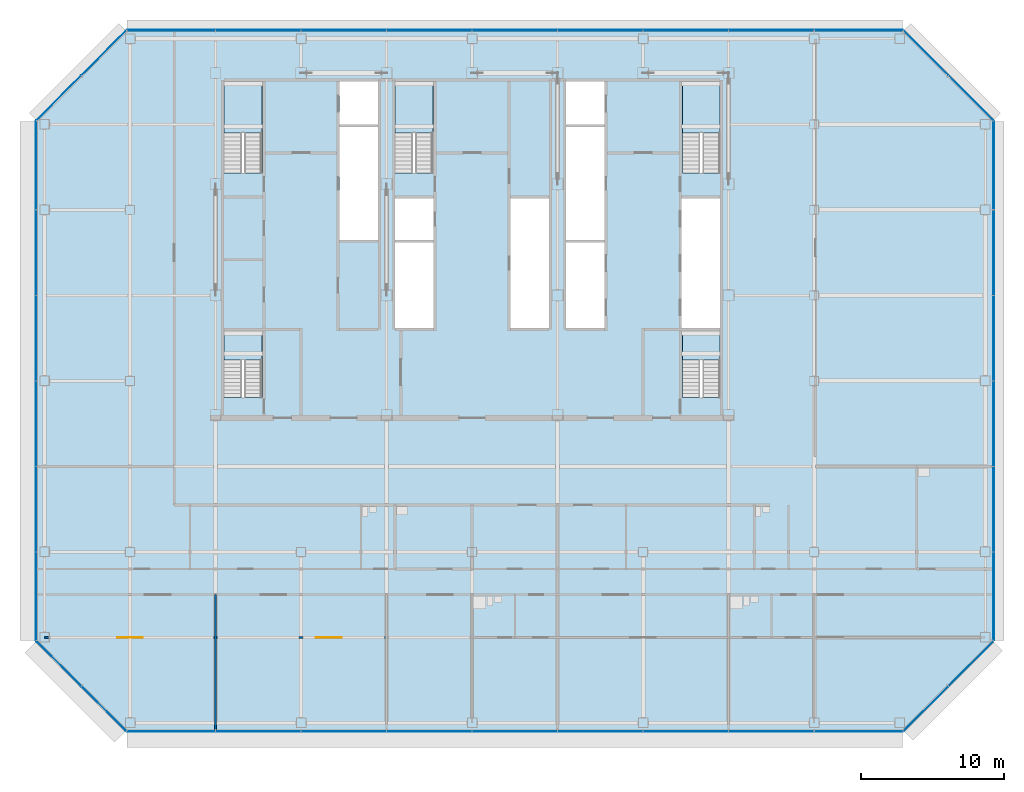
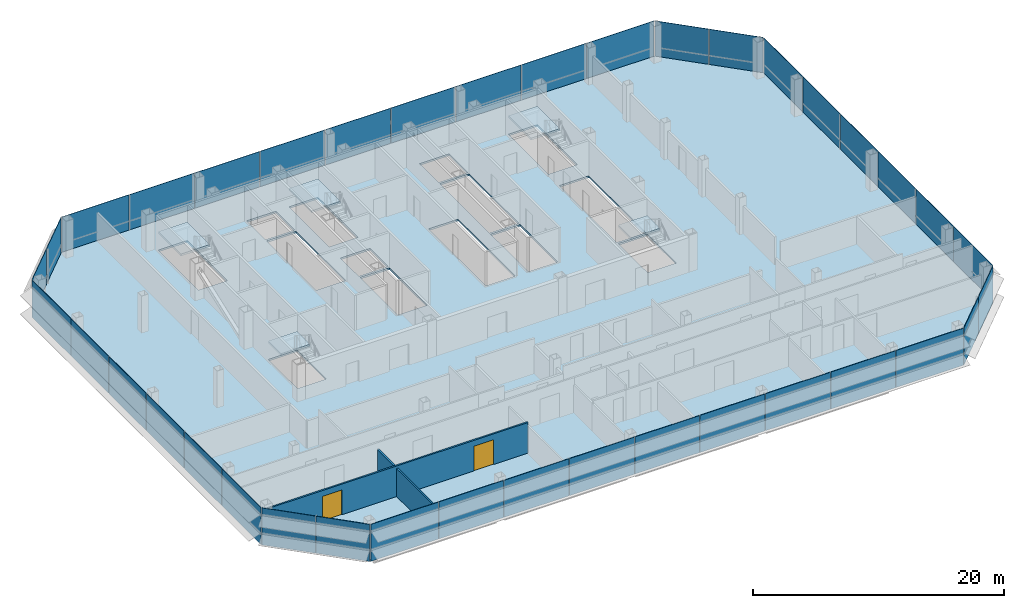
# One storey, part 18 of 24: 38 plates, 6 slabs, 2 doors, 2 walls, 2 openings, 13 elements without a shape of their own.
"""IFC4 building model written with IfcOpenShell, lengths in metres."""

from ifc_helpers import new_model, si_unit, direction, frame, frame_2d, origin, origin_2d, place, context, subcontext, project, spatial, polyline, rectangle, outline, extrude, material, layer, layer_set, type_object, element, fill, aggregate, save


model = new_model("IFC4")

# Units and contexts
model_context = context("Model", 3, precision=1e-05, world=origin(), true_north=direction((0.0, 1.0)))
body_context = subcontext(model_context, "Body", "Model", "MODEL_VIEW")
ifc_project = project(units=[si_unit("LENGTHUNIT", "METRE"), si_unit("AREAUNIT", "SQUARE_METRE"), si_unit("VOLUMEUNIT", "CUBIC_METRE"), si_unit("PLANEANGLEUNIT", "RADIAN"), si_unit("MASSUNIT", "GRAM", prefix="KILO")], contexts=[model_context])

# Site, building, storey
site_placement = place(None, origin())
site = spatial("IfcSite", under=ifc_project, at=site_placement, CompositionType="ELEMENT")
building_placement = place(site_placement, origin())
building = spatial("IfcBuilding", under=site, at=building_placement, Name="Sorahane Residences", CompositionType="ELEMENT")
storey_placement = place(building_placement, frame((0.0, 0.0, 174.39990234375)))
storey = spatial("IfcBuildingStorey", under=building, at=storey_placement, Name="L40", CompositionType="ELEMENT", Elevation=174.39990234375)

# Slab
ifc_material_1 = material(Name="Concrete C35", Category="concrete")
ifc_layer_1 = layer(ifc_material_1, 0.179931640625)
ifc_layer_set_1 = layer_set([ifc_layer_1], Name="Composite floor slab 180 mm Concrete C35")
slab_type_1 = type_object("IfcSlabType", Name="Composite floor slab 180 mm Concrete C35", PredefinedType="FLOOR", material=ifc_layer_set_1)
slab_1_placement = place(storey_placement, frame((0.0, 0.0, -0.179931640625)))
element("IfcSlab", 1, at=slab_1_placement, inside=storey, type_object=slab_type_1, Name="Slab L40", PredefinedType="FLOOR", context=body_context, shape_type="SweptSolid", body=[
    extrude(outline(polyline([(-0.24853515625, -0.60009765625), (-6.60009765625, 5.75146484375), (-6.60009765625, 42.24853515625), (-0.24853515625, 48.60009765625), (54.24853515625, 48.60009765625), (60.60009765625, 42.24853515625), (60.60009765625, 5.75146484375), (54.24853515625, -0.60009765625), (-0.24853515625, -0.60009765625)]), holes=[polyline([(18.60009765625, 27.699951171875), (21.300048828125, 27.699951171875), (21.300048828125, 33.699951171875), (18.60009765625, 33.699951171875), (18.60009765625, 27.699951171875)]), polyline([(38.699951171875, 27.699951171875), (41.39990234375, 27.699951171875), (41.39990234375, 36.800048828125), (38.699951171875, 36.800048828125), (38.699951171875, 27.699951171875)]), polyline([(30.60009765625, 27.699951171875), (33.300048828125, 27.699951171875), (33.300048828125, 33.699951171875), (30.60009765625, 33.699951171875), (30.60009765625, 27.699951171875)]), polyline([(30.60009765625, 42.0), (33.300048828125, 42.0), (33.300048828125, 45.0), (30.60009765625, 45.0), (30.60009765625, 42.0)]), polyline([(14.699951171875, 42.0), (17.39990234375, 42.0), (17.39990234375, 45.0), (14.699951171875, 45.0), (14.699951171875, 42.0)]), polyline([(9.25, 38.60009765625), (9.25, 45.0), (6.60009765625, 45.0), (6.60009765625, 38.60009765625), (9.25, 38.60009765625)]), polyline([(41.39990234375, 38.60009765625), (41.39990234375, 45.0), (38.75, 45.0), (38.75, 38.60009765625), (41.39990234375, 38.60009765625)]), polyline([(21.25, 38.60009765625), (21.25, 45.0), (18.60009765625, 45.0), (18.60009765625, 38.60009765625), (21.25, 38.60009765625)]), polyline([(9.25, 22.85009765625), (9.25, 27.5), (6.60009765625, 27.5), (6.60009765625, 22.85009765625), (9.25, 22.85009765625)]), polyline([(41.39990234375, 22.85009765625), (41.39990234375, 27.5), (38.75, 27.5), (38.75, 22.85009765625), (41.39990234375, 22.85009765625)]), polyline([(14.699951171875, 33.89990234375), (17.39990234375, 33.89990234375), (17.39990234375, 41.800048828125), (14.699951171875, 41.800048828125), (14.699951171875, 33.89990234375)]), polyline([(30.60009765625, 33.89990234375), (33.300048828125, 33.89990234375), (33.300048828125, 41.800048828125), (30.60009765625, 41.800048828125), (30.60009765625, 33.89990234375)]), polyline([(18.60009765625, 33.89990234375), (21.300048828125, 33.89990234375), (21.300048828125, 36.800048828125), (18.60009765625, 36.800048828125), (18.60009765625, 33.89990234375)]), polyline([(26.699951171875, 27.699951171875), (29.39990234375, 27.699951171875), (29.39990234375, 36.800048828125), (26.699951171875, 36.800048828125), (26.699951171875, 27.699951171875)])]), origin(), (0.0, 0.0, 1.0), 0.179931640625),
])

# Curtain wall, plates
ifc_material_2 = material(Name="Dark low-e glass and black anodised aluminium", Category="aluminium")
curtain_wall_type_1 = type_object("IfcCurtainWallType", Name="Curtain wall CW-1 Typical unitised wall", PredefinedType="NOTDEFINED", material=ifc_material_2)
curtain_wall_1_placement = place(storey_placement, origin())
curtain_wall_1 = element("IfcCurtainWall", 2, at=curtain_wall_1_placement, inside=storey, type_object=curtain_wall_type_1, Name="CW-1 curtain wall L40 S1", PredefinedType="NOTDEFINED")
ifc_material_3 = material(Name="Dark low-e glass with black ceramic frit", Category="glass")
ifc_layer_2 = layer(ifc_material_3, 0.0400390625)
ifc_layer_set_2 = layer_set([ifc_layer_2], Name="Curtain wall glass panel dark low-e with black frit spandrel band")
plate_type = type_object("IfcPlateType", Name="Curtain wall glass panel dark low-e with black frit spandrel band", PredefinedType="CURTAIN_PANEL", material=ifc_layer_set_2)
plate_1_placement = place(storey_placement, frame((2.88818359375, -0.60009765625, -0.179931640625), z_axis=(0.0, 0.0, 1.0), x_axis=(1.0, 0.0, 0.0)))
plate_1 = element("IfcPlate", 3, at=plate_1_placement, type_object=plate_type, Name="CW-1 glass panel L40 S1.1", PredefinedType="CURTAIN_PANEL", context=body_context, shape_type="SweptSolid", body=[
    extrude(rectangle(XDim=6.173583984375, YDim=0.0400390625, at=origin_2d()), origin(), (0.0, 0.0, 1.0), 3.60009765625),
])
plate_2_placement = place(storey_placement, frame((9.0, -0.60009765625, -0.179931640625), z_axis=(0.0, 0.0, 1.0), x_axis=(1.0, 0.0, 0.0)))
plate_2 = element("IfcPlate", 4, at=plate_2_placement, type_object=plate_type, Name="CW-1 glass panel L40 S1.2", PredefinedType="CURTAIN_PANEL", context=body_context, shape_type="SweptSolid", body=[
    extrude(rectangle(XDim=5.949951171875, YDim=0.0400390625, at=origin_2d()), origin(), (0.0, 0.0, 1.0), 3.60009765625),
])
plate_3_placement = place(storey_placement, frame((15.0, -0.60009765625, -0.179931640625), z_axis=(0.0, 0.0, 1.0), x_axis=(1.0, 0.0, 0.0)))
plate_3 = element("IfcPlate", 5, at=plate_3_placement, type_object=plate_type, Name="CW-1 glass panel L40 S1.3", PredefinedType="CURTAIN_PANEL", context=body_context, shape_type="SweptSolid", body=[
    extrude(rectangle(XDim=5.949951171875, YDim=0.0400390625, at=origin_2d()), origin(), (0.0, 0.0, 1.0), 3.60009765625),
])
plate_4_placement = place(storey_placement, frame((21.0, -0.60009765625, -0.179931640625), z_axis=(0.0, 0.0, 1.0), x_axis=(1.0, 0.0, 0.0)))
plate_4 = element("IfcPlate", 6, at=plate_4_placement, type_object=plate_type, Name="CW-1 glass panel L40 S1.4", PredefinedType="CURTAIN_PANEL", context=body_context, shape_type="SweptSolid", body=[
    extrude(rectangle(XDim=5.949951171875, YDim=0.0400390625, at=origin_2d()), origin(), (0.0, 0.0, 1.0), 3.60009765625),
])
plate_5_placement = place(storey_placement, frame((27.0, -0.60009765625, -0.179931640625), z_axis=(0.0, 0.0, 1.0), x_axis=(1.0, 0.0, 0.0)))
plate_5 = element("IfcPlate", 7, at=plate_5_placement, type_object=plate_type, Name="CW-1 glass panel L40 S1.5", PredefinedType="CURTAIN_PANEL", context=body_context, shape_type="SweptSolid", body=[
    extrude(rectangle(XDim=5.949951171875, YDim=0.0400390625, at=origin_2d()), origin(), (0.0, 0.0, 1.0), 3.60009765625),
])
plate_6_placement = place(storey_placement, frame((33.0, -0.60009765625, -0.179931640625), z_axis=(0.0, 0.0, 1.0), x_axis=(1.0, 0.0, 0.0)))
plate_6 = element("IfcPlate", 8, at=plate_6_placement, type_object=plate_type, Name="CW-1 glass panel L40 S1.6", PredefinedType="CURTAIN_PANEL", context=body_context, shape_type="SweptSolid", body=[
    extrude(rectangle(XDim=5.949951171875, YDim=0.0400390625, at=origin_2d()), origin(), (0.0, 0.0, 1.0), 3.60009765625),
])
plate_7_placement = place(storey_placement, frame((39.0, -0.60009765625, -0.179931640625), z_axis=(0.0, 0.0, 1.0), x_axis=(1.0, 0.0, 0.0)))
plate_7 = element("IfcPlate", 9, at=plate_7_placement, type_object=plate_type, Name="CW-1 glass panel L40 S1.7", PredefinedType="CURTAIN_PANEL", context=body_context, shape_type="SweptSolid", body=[
    extrude(rectangle(XDim=5.949951171875, YDim=0.0400390625, at=origin_2d()), origin(), (0.0, 0.0, 1.0), 3.60009765625),
])
plate_8_placement = place(storey_placement, frame((45.0, -0.60009765625, -0.179931640625), z_axis=(0.0, 0.0, 1.0), x_axis=(1.0, 0.0, 0.0)))
plate_8 = element("IfcPlate", 10, at=plate_8_placement, type_object=plate_type, Name="CW-1 glass panel L40 S1.8", PredefinedType="CURTAIN_PANEL", context=body_context, shape_type="SweptSolid", body=[
    extrude(rectangle(XDim=5.949951171875, YDim=0.0400390625, at=origin_2d()), origin(), (0.0, 0.0, 1.0), 3.60009765625),
])
plate_9_placement = place(storey_placement, frame((51.11181640625, -0.60009765625, -0.179931640625), z_axis=(0.0, 0.0, 1.0), x_axis=(1.0, 0.0, 0.0)))
plate_9 = element("IfcPlate", 11, at=plate_9_placement, type_object=plate_type, Name="CW-1 glass panel L40 S1.9", PredefinedType="CURTAIN_PANEL", context=body_context, shape_type="SweptSolid", body=[
    extrude(rectangle(XDim=6.173583984375, YDim=0.0400390625, at=origin_2d()), origin(), (0.0, 0.0, 1.0), 3.60009765625),
])
aggregate(curtain_wall_1, [plate_1, plate_2, plate_3, plate_4, plate_5, plate_6, plate_7, plate_8, plate_9])

ifc_material_4 = material(Name="Dark low-e glass and black anodised aluminium", Category="aluminium")
curtain_wall_type_2 = type_object("IfcCurtainWallType", Name="Curtain wall CW-2 Chamfer unitised wall", PredefinedType="NOTDEFINED", material=ifc_material_4)
curtain_wall_2_placement = place(storey_placement, origin())
curtain_wall_2 = element("IfcCurtainWall", 12, at=curtain_wall_2_placement, inside=storey, type_object=curtain_wall_type_2, Name="CW-2 curtain wall L40 SE1", PredefinedType="NOTDEFINED")
plate_10_placement = place(storey_placement, frame((55.84521484375, 0.996826171875, -0.179931640625), z_axis=(0.0, 0.0, 1.0), x_axis=(0.707106781187, 0.707106781187, 0.0)))
plate_10 = element("IfcPlate", 13, at=plate_10_placement, type_object=plate_type, Name="CW-2 glass panel L40 SE1.1", PredefinedType="CURTAIN_PANEL", context=body_context, shape_type="SweptSolid", body=[
    extrude(rectangle(XDim=4.416259765625, YDim=0.0400390625, at=origin_2d()), origin(), (0.0, 0.0, 1.0), 3.60009765625),
])
plate_11_placement = place(storey_placement, frame((59.003173828125, 4.15478515625, -0.179931640625), z_axis=(0.0, 0.0, 1.0), x_axis=(0.707106781187, 0.707106781187, 0.0)))
plate_11 = element("IfcPlate", 14, at=plate_11_placement, type_object=plate_type, Name="CW-2 glass panel L40 SE1.2", PredefinedType="CURTAIN_PANEL", context=body_context, shape_type="SweptSolid", body=[
    extrude(rectangle(XDim=4.416259765625, YDim=0.0400390625, at=origin_2d()), origin(), (0.0, 0.0, 1.0), 3.60009765625),
])
aggregate(curtain_wall_2, [plate_10, plate_11])

curtain_wall_3_placement = place(storey_placement, origin())
curtain_wall_3 = element("IfcCurtainWall", 15, at=curtain_wall_3_placement, inside=storey, type_object=curtain_wall_type_1, Name="CW-1 curtain wall L40 E1", PredefinedType="NOTDEFINED")
plate_12_placement = place(storey_placement, frame((60.60009765625, 8.88818359375, -0.179931640625), z_axis=(0.0, 0.0, 1.0), x_axis=(0.0, 1.0, 0.0)))
plate_12 = element("IfcPlate", 16, at=plate_12_placement, type_object=plate_type, Name="CW-1 glass panel L40 E1.1", PredefinedType="CURTAIN_PANEL", context=body_context, shape_type="SweptSolid", body=[
    extrude(rectangle(XDim=6.173583984375, YDim=0.0400390625, at=origin_2d()), origin(), (0.0, 0.0, 1.0), 3.60009765625),
])
plate_13_placement = place(storey_placement, frame((60.60009765625, 15.0, -0.179931640625), z_axis=(0.0, 0.0, 1.0), x_axis=(0.0, 1.0, 0.0)))
plate_13 = element("IfcPlate", 17, at=plate_13_placement, type_object=plate_type, Name="CW-1 glass panel L40 E1.2", PredefinedType="CURTAIN_PANEL", context=body_context, shape_type="SweptSolid", body=[
    extrude(rectangle(XDim=5.949951171875, YDim=0.0400390625, at=origin_2d()), origin(), (0.0, 0.0, 1.0), 3.60009765625),
])
plate_14_placement = place(storey_placement, frame((60.60009765625, 21.0, -0.179931640625), z_axis=(0.0, 0.0, 1.0), x_axis=(0.0, 1.0, 0.0)))
plate_14 = element("IfcPlate", 18, at=plate_14_placement, type_object=plate_type, Name="CW-1 glass panel L40 E1.3", PredefinedType="CURTAIN_PANEL", context=body_context, shape_type="SweptSolid", body=[
    extrude(rectangle(XDim=5.949951171875, YDim=0.0400390625, at=origin_2d()), origin(), (0.0, 0.0, 1.0), 3.60009765625),
])
plate_15_placement = place(storey_placement, frame((60.60009765625, 27.0, -0.179931640625), z_axis=(0.0, 0.0, 1.0), x_axis=(0.0, 1.0, 0.0)))
plate_15 = element("IfcPlate", 19, at=plate_15_placement, type_object=plate_type, Name="CW-1 glass panel L40 E1.4", PredefinedType="CURTAIN_PANEL", context=body_context, shape_type="SweptSolid", body=[
    extrude(rectangle(XDim=5.949951171875, YDim=0.0400390625, at=origin_2d()), origin(), (0.0, 0.0, 1.0), 3.60009765625),
])
plate_16_placement = place(storey_placement, frame((60.60009765625, 33.0, -0.179931640625), z_axis=(0.0, 0.0, 1.0), x_axis=(0.0, 1.0, 0.0)))
plate_16 = element("IfcPlate", 20, at=plate_16_placement, type_object=plate_type, Name="CW-1 glass panel L40 E1.5", PredefinedType="CURTAIN_PANEL", context=body_context, shape_type="SweptSolid", body=[
    extrude(rectangle(XDim=5.949951171875, YDim=0.0400390625, at=origin_2d()), origin(), (0.0, 0.0, 1.0), 3.60009765625),
])
plate_17_placement = place(storey_placement, frame((60.60009765625, 39.11181640625, -0.179931640625), z_axis=(0.0, 0.0, 1.0), x_axis=(0.0, 1.0, 0.0)))
plate_17 = element("IfcPlate", 21, at=plate_17_placement, type_object=plate_type, Name="CW-1 glass panel L40 E1.6", PredefinedType="CURTAIN_PANEL", context=body_context, shape_type="SweptSolid", body=[
    extrude(rectangle(XDim=6.173583984375, YDim=0.0400390625, at=origin_2d()), origin(), (0.0, 0.0, 1.0), 3.60009765625),
])
aggregate(curtain_wall_3, [plate_12, plate_13, plate_14, plate_15, plate_16, plate_17])

curtain_wall_4_placement = place(storey_placement, origin())
curtain_wall_4 = element("IfcCurtainWall", 22, at=curtain_wall_4_placement, inside=storey, type_object=curtain_wall_type_2, Name="CW-2 curtain wall L40 NE1", PredefinedType="NOTDEFINED")
plate_18_placement = place(storey_placement, frame((59.003173828125, 43.84521484375, -0.179931640625), z_axis=(0.0, 0.0, 1.0), x_axis=(-0.707106781187, 0.707106781187, 0.0)))
plate_18 = element("IfcPlate", 23, at=plate_18_placement, type_object=plate_type, Name="CW-2 glass panel L40 NE1.1", PredefinedType="CURTAIN_PANEL", context=body_context, shape_type="SweptSolid", body=[
    extrude(rectangle(XDim=4.416259765625, YDim=0.0400390625, at=origin_2d()), origin(), (0.0, 0.0, 1.0), 3.60009765625),
])
plate_19_placement = place(storey_placement, frame((55.84521484375, 47.003173828125, -0.179931640625), z_axis=(0.0, 0.0, 1.0), x_axis=(-0.707106781187, 0.707106781187, 0.0)))
plate_19 = element("IfcPlate", 24, at=plate_19_placement, type_object=plate_type, Name="CW-2 glass panel L40 NE1.2", PredefinedType="CURTAIN_PANEL", context=body_context, shape_type="SweptSolid", body=[
    extrude(rectangle(XDim=4.416259765625, YDim=0.0400390625, at=origin_2d()), origin(), (0.0, 0.0, 1.0), 3.60009765625),
])
aggregate(curtain_wall_4, [plate_18, plate_19])

curtain_wall_5_placement = place(storey_placement, origin())
curtain_wall_5 = element("IfcCurtainWall", 25, at=curtain_wall_5_placement, inside=storey, type_object=curtain_wall_type_1, Name="CW-1 curtain wall L40 N1", PredefinedType="NOTDEFINED")
plate_20_placement = place(storey_placement, frame((51.11181640625, 48.60009765625, -0.179931640625), z_axis=(0.0, 0.0, 1.0), x_axis=(-1.0, 0.0, 0.0)))
plate_20 = element("IfcPlate", 26, at=plate_20_placement, type_object=plate_type, Name="CW-1 glass panel L40 N1.1", PredefinedType="CURTAIN_PANEL", context=body_context, shape_type="SweptSolid", body=[
    extrude(rectangle(XDim=6.173583984375, YDim=0.0400390625, at=origin_2d()), origin(), (0.0, 0.0, 1.0), 3.60009765625),
])
plate_21_placement = place(storey_placement, frame((45.0, 48.60009765625, -0.179931640625), z_axis=(0.0, 0.0, 1.0), x_axis=(-1.0, 0.0, 0.0)))
plate_21 = element("IfcPlate", 27, at=plate_21_placement, type_object=plate_type, Name="CW-1 glass panel L40 N1.2", PredefinedType="CURTAIN_PANEL", context=body_context, shape_type="SweptSolid", body=[
    extrude(rectangle(XDim=5.949951171875, YDim=0.0400390625, at=origin_2d()), origin(), (0.0, 0.0, 1.0), 3.60009765625),
])
plate_22_placement = place(storey_placement, frame((39.0, 48.60009765625, -0.179931640625), z_axis=(0.0, 0.0, 1.0), x_axis=(-1.0, 0.0, 0.0)))
plate_22 = element("IfcPlate", 28, at=plate_22_placement, type_object=plate_type, Name="CW-1 glass panel L40 N1.3", PredefinedType="CURTAIN_PANEL", context=body_context, shape_type="SweptSolid", body=[
    extrude(rectangle(XDim=5.949951171875, YDim=0.0400390625, at=origin_2d()), origin(), (0.0, 0.0, 1.0), 3.60009765625),
])
plate_23_placement = place(storey_placement, frame((33.0, 48.60009765625, -0.179931640625), z_axis=(0.0, 0.0, 1.0), x_axis=(-1.0, 0.0, 0.0)))
plate_23 = element("IfcPlate", 29, at=plate_23_placement, type_object=plate_type, Name="CW-1 glass panel L40 N1.4", PredefinedType="CURTAIN_PANEL", context=body_context, shape_type="SweptSolid", body=[
    extrude(rectangle(XDim=5.949951171875, YDim=0.0400390625, at=origin_2d()), origin(), (0.0, 0.0, 1.0), 3.60009765625),
])
plate_24_placement = place(storey_placement, frame((27.0, 48.60009765625, -0.179931640625), z_axis=(0.0, 0.0, 1.0), x_axis=(-1.0, 0.0, 0.0)))
plate_24 = element("IfcPlate", 30, at=plate_24_placement, type_object=plate_type, Name="CW-1 glass panel L40 N1.5", PredefinedType="CURTAIN_PANEL", context=body_context, shape_type="SweptSolid", body=[
    extrude(rectangle(XDim=5.949951171875, YDim=0.0400390625, at=origin_2d()), origin(), (0.0, 0.0, 1.0), 3.60009765625),
])
plate_25_placement = place(storey_placement, frame((21.0, 48.60009765625, -0.179931640625), z_axis=(0.0, 0.0, 1.0), x_axis=(-1.0, 0.0, 0.0)))
plate_25 = element("IfcPlate", 31, at=plate_25_placement, type_object=plate_type, Name="CW-1 glass panel L40 N1.6", PredefinedType="CURTAIN_PANEL", context=body_context, shape_type="SweptSolid", body=[
    extrude(rectangle(XDim=5.949951171875, YDim=0.0400390625, at=origin_2d()), origin(), (0.0, 0.0, 1.0), 3.60009765625),
])
plate_26_placement = place(storey_placement, frame((15.0, 48.60009765625, -0.179931640625), z_axis=(0.0, 0.0, 1.0), x_axis=(-1.0, 0.0, 0.0)))
plate_26 = element("IfcPlate", 32, at=plate_26_placement, type_object=plate_type, Name="CW-1 glass panel L40 N1.7", PredefinedType="CURTAIN_PANEL", context=body_context, shape_type="SweptSolid", body=[
    extrude(rectangle(XDim=5.949951171875, YDim=0.0400390625, at=origin_2d()), origin(), (0.0, 0.0, 1.0), 3.60009765625),
])
plate_27_placement = place(storey_placement, frame((9.0, 48.60009765625, -0.179931640625), z_axis=(0.0, 0.0, 1.0), x_axis=(-1.0, 0.0, 0.0)))
plate_27 = element("IfcPlate", 33, at=plate_27_placement, type_object=plate_type, Name="CW-1 glass panel L40 N1.8", PredefinedType="CURTAIN_PANEL", context=body_context, shape_type="SweptSolid", body=[
    extrude(rectangle(XDim=5.949951171875, YDim=0.0400390625, at=origin_2d()), origin(), (0.0, 0.0, 1.0), 3.60009765625),
])
plate_28_placement = place(storey_placement, frame((2.88818359375, 48.60009765625, -0.179931640625), z_axis=(0.0, 0.0, 1.0), x_axis=(-1.0, 0.0, 0.0)))
plate_28 = element("IfcPlate", 34, at=plate_28_placement, type_object=plate_type, Name="CW-1 glass panel L40 N1.9", PredefinedType="CURTAIN_PANEL", context=body_context, shape_type="SweptSolid", body=[
    extrude(rectangle(XDim=6.173583984375, YDim=0.0400390625, at=origin_2d()), origin(), (0.0, 0.0, 1.0), 3.60009765625),
])
aggregate(curtain_wall_5, [plate_20, plate_21, plate_22, plate_23, plate_24, plate_25, plate_26, plate_27, plate_28])

curtain_wall_6_placement = place(storey_placement, origin())
curtain_wall_6 = element("IfcCurtainWall", 35, at=curtain_wall_6_placement, inside=storey, type_object=curtain_wall_type_2, Name="CW-2 curtain wall L40 NW1", PredefinedType="NOTDEFINED")
plate_29_placement = place(storey_placement, frame((-1.84521484375, 47.003173828125, -0.179931640625), z_axis=(0.0, 0.0, 1.0), x_axis=(-0.707106781187, -0.707106781187, 0.0)))
plate_29 = element("IfcPlate", 36, at=plate_29_placement, type_object=plate_type, Name="CW-2 glass panel L40 NW1.1", PredefinedType="CURTAIN_PANEL", context=body_context, shape_type="SweptSolid", body=[
    extrude(rectangle(XDim=4.416259765625, YDim=0.0400390625, at=origin_2d()), origin(), (0.0, 0.0, 1.0), 3.60009765625),
])
plate_30_placement = place(storey_placement, frame((-5.003173828125, 43.84521484375, -0.179931640625), z_axis=(0.0, 0.0, 1.0), x_axis=(-0.707106781187, -0.707106781187, 0.0)))
plate_30 = element("IfcPlate", 37, at=plate_30_placement, type_object=plate_type, Name="CW-2 glass panel L40 NW1.2", PredefinedType="CURTAIN_PANEL", context=body_context, shape_type="SweptSolid", body=[
    extrude(rectangle(XDim=4.416259765625, YDim=0.0400390625, at=origin_2d()), origin(), (0.0, 0.0, 1.0), 3.60009765625),
])
aggregate(curtain_wall_6, [plate_29, plate_30])

curtain_wall_7_placement = place(storey_placement, origin())
curtain_wall_7 = element("IfcCurtainWall", 38, at=curtain_wall_7_placement, inside=storey, type_object=curtain_wall_type_1, Name="CW-1 curtain wall L40 W1", PredefinedType="NOTDEFINED")
plate_31_placement = place(storey_placement, frame((-6.60009765625, 39.11181640625, -0.179931640625), z_axis=(0.0, 0.0, 1.0), x_axis=(0.0, -1.0, 0.0)))
plate_31 = element("IfcPlate", 39, at=plate_31_placement, type_object=plate_type, Name="CW-1 glass panel L40 W1.1", PredefinedType="CURTAIN_PANEL", context=body_context, shape_type="SweptSolid", body=[
    extrude(rectangle(XDim=6.173583984375, YDim=0.0400390625, at=origin_2d()), origin(), (0.0, 0.0, 1.0), 3.60009765625),
])
plate_32_placement = place(storey_placement, frame((-6.60009765625, 33.0, -0.179931640625), z_axis=(0.0, 0.0, 1.0), x_axis=(0.0, -1.0, 0.0)))
plate_32 = element("IfcPlate", 40, at=plate_32_placement, type_object=plate_type, Name="CW-1 glass panel L40 W1.2", PredefinedType="CURTAIN_PANEL", context=body_context, shape_type="SweptSolid", body=[
    extrude(rectangle(XDim=5.949951171875, YDim=0.0400390625, at=origin_2d()), origin(), (0.0, 0.0, 1.0), 3.60009765625),
])
plate_33_placement = place(storey_placement, frame((-6.60009765625, 27.0, -0.179931640625), z_axis=(0.0, 0.0, 1.0), x_axis=(0.0, -1.0, 0.0)))
plate_33 = element("IfcPlate", 41, at=plate_33_placement, type_object=plate_type, Name="CW-1 glass panel L40 W1.3", PredefinedType="CURTAIN_PANEL", context=body_context, shape_type="SweptSolid", body=[
    extrude(rectangle(XDim=5.949951171875, YDim=0.0400390625, at=origin_2d()), origin(), (0.0, 0.0, 1.0), 3.60009765625),
])
plate_34_placement = place(storey_placement, frame((-6.60009765625, 21.0, -0.179931640625), z_axis=(0.0, 0.0, 1.0), x_axis=(0.0, -1.0, 0.0)))
plate_34 = element("IfcPlate", 42, at=plate_34_placement, type_object=plate_type, Name="CW-1 glass panel L40 W1.4", PredefinedType="CURTAIN_PANEL", context=body_context, shape_type="SweptSolid", body=[
    extrude(rectangle(XDim=5.949951171875, YDim=0.0400390625, at=origin_2d()), origin(), (0.0, 0.0, 1.0), 3.60009765625),
])
plate_35_placement = place(storey_placement, frame((-6.60009765625, 15.0, -0.179931640625), z_axis=(0.0, 0.0, 1.0), x_axis=(0.0, -1.0, 0.0)))
plate_35 = element("IfcPlate", 43, at=plate_35_placement, type_object=plate_type, Name="CW-1 glass panel L40 W1.5", PredefinedType="CURTAIN_PANEL", context=body_context, shape_type="SweptSolid", body=[
    extrude(rectangle(XDim=5.949951171875, YDim=0.0400390625, at=origin_2d()), origin(), (0.0, 0.0, 1.0), 3.60009765625),
])
plate_36_placement = place(storey_placement, frame((-6.60009765625, 8.88818359375, -0.179931640625), z_axis=(0.0, 0.0, 1.0), x_axis=(0.0, -1.0, 0.0)))
plate_36 = element("IfcPlate", 44, at=plate_36_placement, type_object=plate_type, Name="CW-1 glass panel L40 W1.6", PredefinedType="CURTAIN_PANEL", context=body_context, shape_type="SweptSolid", body=[
    extrude(rectangle(XDim=6.173583984375, YDim=0.0400390625, at=origin_2d()), origin(), (0.0, 0.0, 1.0), 3.60009765625),
])
aggregate(curtain_wall_7, [plate_31, plate_32, plate_33, plate_34, plate_35, plate_36])

curtain_wall_8_placement = place(storey_placement, origin())
curtain_wall_8 = element("IfcCurtainWall", 45, at=curtain_wall_8_placement, inside=storey, type_object=curtain_wall_type_2, Name="CW-2 curtain wall L40 SW1", PredefinedType="NOTDEFINED")
plate_37_placement = place(storey_placement, frame((-5.003173828125, 4.15478515625, -0.179931640625), z_axis=(0.0, 0.0, 1.0), x_axis=(0.707106781187, -0.707106781187, 0.0)))
plate_37 = element("IfcPlate", 46, at=plate_37_placement, type_object=plate_type, Name="CW-2 glass panel L40 SW1.1", PredefinedType="CURTAIN_PANEL", context=body_context, shape_type="SweptSolid", body=[
    extrude(rectangle(XDim=4.416259765625, YDim=0.0400390625, at=origin_2d()), origin(), (0.0, 0.0, 1.0), 3.60009765625),
])
plate_38_placement = place(storey_placement, frame((-1.84521484375, 0.996826171875, -0.179931640625), z_axis=(0.0, 0.0, 1.0), x_axis=(0.707106781187, -0.707106781187, 0.0)))
plate_38 = element("IfcPlate", 47, at=plate_38_placement, type_object=plate_type, Name="CW-2 glass panel L40 SW1.2", PredefinedType="CURTAIN_PANEL", context=body_context, shape_type="SweptSolid", body=[
    extrude(rectangle(XDim=4.416259765625, YDim=0.0400390625, at=origin_2d()), origin(), (0.0, 0.0, 1.0), 3.60009765625),
])
aggregate(curtain_wall_8, [plate_37, plate_38])

# Stair, slab
ifc_material_5 = material(Name="Concrete C40", Category="concrete")
stair_type = type_object("IfcStairType", Name="Dog-leg stair 1250 Concrete C40", PredefinedType="HALF_TURN_STAIR", material=ifc_material_5)
stair_1_placement = place(storey_placement, origin())
stair_1 = element("IfcStair", 48, at=stair_1_placement, inside=storey, type_object=stair_type, Name="L40 Stair S1", PredefinedType="HALF_TURN_STAIR")
ifc_material_6 = material(Name="Concrete C40", Category="concrete")
ifc_layer_3 = layer(ifc_material_6, 0.199951171875)
ifc_layer_set_3 = layer_set([ifc_layer_3], Name="Stair landing 200 Concrete C40")
slab_type_2 = type_object("IfcSlabType", Name="Stair landing 200 Concrete C40", PredefinedType="LANDING", material=ifc_layer_set_3)
slab_2_placement = place(storey_placement, frame((0.0, 0.0, 1.60009765625)))
slab_2 = element("IfcSlab", 49, at=slab_2_placement, type_object=slab_type_2, Name="S1 landing 1", PredefinedType="LANDING", context=body_context, shape_type="SweptSolid", body=[
    extrude(outline(polyline([(9.25, 41.39990234375), (9.25, 45.0), (6.60009765625, 45.0), (6.60009765625, 41.39990234375), (9.25, 41.39990234375)])), origin(), (0.0, 0.0, 1.0), 0.199951171875),
])
aggregate(stair_1, [slab_2])

stair_2_placement = place(storey_placement, origin())
stair_2 = element("IfcStair", 50, at=stair_2_placement, inside=storey, type_object=stair_type, Name="L40 Stair S2", PredefinedType="HALF_TURN_STAIR")
slab_3_placement = place(storey_placement, frame((0.0, 0.0, 1.60009765625)))
slab_3 = element("IfcSlab", 51, at=slab_3_placement, type_object=slab_type_2, Name="S2 landing 1", PredefinedType="LANDING", context=body_context, shape_type="SweptSolid", body=[
    extrude(outline(polyline([(41.39990234375, 41.39990234375), (41.39990234375, 45.0), (38.75, 45.0), (38.75, 41.39990234375), (41.39990234375, 41.39990234375)])), origin(), (0.0, 0.0, 1.0), 0.199951171875),
])
aggregate(stair_2, [slab_3])

stair_3_placement = place(storey_placement, origin())
stair_3 = element("IfcStair", 52, at=stair_3_placement, inside=storey, type_object=stair_type, Name="L40 Stair S3", PredefinedType="HALF_TURN_STAIR")
slab_4_placement = place(storey_placement, frame((0.0, 0.0, 1.60009765625)))
slab_4 = element("IfcSlab", 53, at=slab_4_placement, type_object=slab_type_2, Name="S3 landing 1", PredefinedType="LANDING", context=body_context, shape_type="SweptSolid", body=[
    extrude(outline(polyline([(21.25, 41.39990234375), (21.25, 45.0), (18.60009765625, 45.0), (18.60009765625, 41.39990234375), (21.25, 41.39990234375)])), origin(), (0.0, 0.0, 1.0), 0.199951171875),
])
aggregate(stair_3, [slab_4])

stair_4_placement = place(storey_placement, origin())
stair_4 = element("IfcStair", 54, at=stair_4_placement, inside=storey, type_object=stair_type, Name="L40 Stair S4", PredefinedType="HALF_TURN_STAIR")
slab_5_placement = place(storey_placement, frame((0.0, 0.0, 1.60009765625)))
slab_5 = element("IfcSlab", 55, at=slab_5_placement, type_object=slab_type_2, Name="S4 landing 1", PredefinedType="LANDING", context=body_context, shape_type="SweptSolid", body=[
    extrude(outline(polyline([(9.25, 25.449951171875), (9.25, 27.5), (6.60009765625, 27.5), (6.60009765625, 25.449951171875), (9.25, 25.449951171875)])), origin(), (0.0, 0.0, 1.0), 0.199951171875),
])
aggregate(stair_4, [slab_5])

stair_5_placement = place(storey_placement, origin())
stair_5 = element("IfcStair", 56, at=stair_5_placement, inside=storey, type_object=stair_type, Name="L40 Stair S5", PredefinedType="HALF_TURN_STAIR")
slab_6_placement = place(storey_placement, frame((0.0, 0.0, 1.60009765625)))
slab_6 = element("IfcSlab", 57, at=slab_6_placement, type_object=slab_type_2, Name="S5 landing 1", PredefinedType="LANDING", context=body_context, shape_type="SweptSolid", body=[
    extrude(outline(polyline([(41.39990234375, 25.449951171875), (41.39990234375, 27.5), (38.75, 27.5), (38.75, 25.449951171875), (41.39990234375, 25.449951171875)])), origin(), (0.0, 0.0, 1.0), 0.199951171875),
])
aggregate(stair_5, [slab_6])

# Wall
ifc_material_7 = material(Name="Gypsum board partition on steel studs", Category="steel")
ifc_layer_4 = layer(ifc_material_7, 0.14990234375)
ifc_layer_set_4 = layer_set([ifc_layer_4], Name="Partition 150 EI 90")
wall_type = type_object("IfcWallType", Name="Partition 150 EI 90", PredefinedType="PARTITIONING", material=ifc_layer_set_4)
wall_1_placement = place(storey_placement, frame((6.0, -0.60009765625, 0.0), z_axis=(0.0, 0.0, 1.0), x_axis=(0.0, 1.0, 0.0)))
element("IfcWall", 58, at=wall_1_placement, inside=storey, type_object=wall_type, Name="L40 partition", PredefinedType="PARTITIONING", context=body_context, shape_type="SweptSolid", body=[
    extrude(rectangle(XDim=9.60009765625, YDim=0.14990234375, at=frame_2d((4.800048828125, 0.0))), origin(), (0.0, 0.0, 1.0), 2.72021484375),
])

# Wall, openings, doors
wall_2_placement = place(storey_placement, frame((-6.0, 6.0, 0.0), z_axis=(0.0, 0.0, 1.0), x_axis=(1.0, 0.0, 0.0)))
wall_2 = element("IfcWall", 59, at=wall_2_placement, inside=storey, type_object=wall_type, Name="L40 partition", PredefinedType="PARTITIONING", context=body_context, shape_type="SweptSolid", body=[
    extrude(rectangle(XDim=24.0, YDim=0.14990234375, at=frame_2d((12.0, 0.0))), origin(), (0.0, 0.0, 1.0), 2.97021484375),
])
opening_1_placement = place(wall_2_placement, frame((5.10009765625, 0.0, 0.0)))
opening_1 = element("IfcOpeningElement", 60, at=opening_1_placement, cuts=wall_2, Name="Opening L40-10", PredefinedType="OPENING", context=body_context, shape_type="SweptSolid", body=[
    extrude(rectangle(XDim=1.800048828125, YDim=2.39990234375, at=frame_2d((0.89990234375, 1.199951171875))), frame((0.0, 0.0849609375, 0.0), z_axis=(0.0, -1.0, 0.0), x_axis=(1.0, 0.0, 0.0)), (0.0, 0.0, 1.0), 0.169921875),
])
opening_2_placement = place(wall_2_placement, frame((19.0400390625, 0.0, 0.0)))
opening_2 = element("IfcOpeningElement", 61, at=opening_2_placement, cuts=wall_2, Name="Opening L40-11", PredefinedType="OPENING", context=body_context, shape_type="SweptSolid", body=[
    extrude(rectangle(XDim=1.800048828125, YDim=2.39990234375, at=frame_2d((0.89990234375, 1.199951171875))), frame((0.0, 0.0849609375, 0.0), z_axis=(0.0, -1.0, 0.0), x_axis=(1.0, 0.0, 0.0)), (0.0, 0.0, 1.0), 0.169921875),
])
ifc_material_8 = material(Name="Timber veneered fire door", Category="wood")
door_type = type_object("IfcDoorType", Name="Double door 1800x2400 FD30", OperationType="NOTDEFINED", PredefinedType="DOOR", material=ifc_material_8)
door_1_placement = place(opening_1_placement, frame((1.800048828125, 0.0, 0.0), z_axis=(0.0, 0.0, 1.0), x_axis=(-1.0, 0.0, 0.0)))
door_1 = element("IfcDoor", 62, at=door_1_placement, inside=storey, type_object=door_type, Name="Double door L40-10", OperationType="SINGLE_SWING_RIGHT", OverallHeight=2.39990234375, OverallWidth=1.800048828125, PredefinedType="DOOR", context=body_context, shape_type="SweptSolid", body=[
    extrude(rectangle(XDim=1.800048828125, YDim=2.39990234375, at=frame_2d((0.89990234375, 1.199951171875))), frame((0.0, 0.02490234375, 0.0), z_axis=(0.0, -1.0, 0.0), x_axis=(1.0, 0.0, 0.0)), (0.0, 0.0, 1.0), 0.050048828125),
])
fill(opening_1, door_1)
door_2_placement = place(opening_2_placement, frame((1.800048828125, 0.0, 0.0), z_axis=(0.0, 0.0, 1.0), x_axis=(-1.0, 0.0, 0.0)))
door_2 = element("IfcDoor", 63, at=door_2_placement, inside=storey, type_object=door_type, Name="Double door L40-11", OperationType="SINGLE_SWING_RIGHT", OverallHeight=2.39990234375, OverallWidth=1.800048828125, PredefinedType="DOOR", context=body_context, shape_type="SweptSolid", body=[
    extrude(rectangle(XDim=1.800048828125, YDim=2.39990234375, at=frame_2d((0.89990234375, 1.199951171875))), frame((0.0, 0.02490234375, 0.0), z_axis=(0.0, -1.0, 0.0), x_axis=(1.0, 0.0, 0.0)), (0.0, 0.0, 1.0), 0.050048828125),
])
fill(opening_2, door_2)

save(model, "model.ifc")
